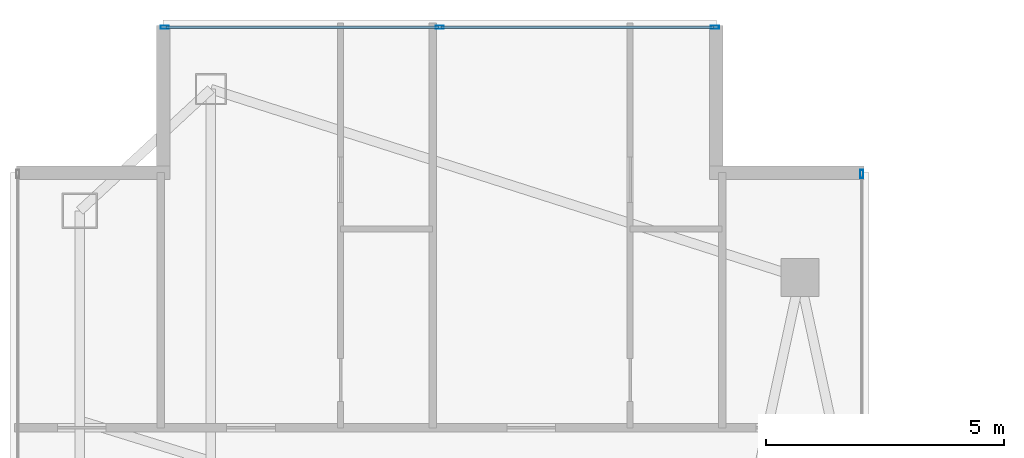
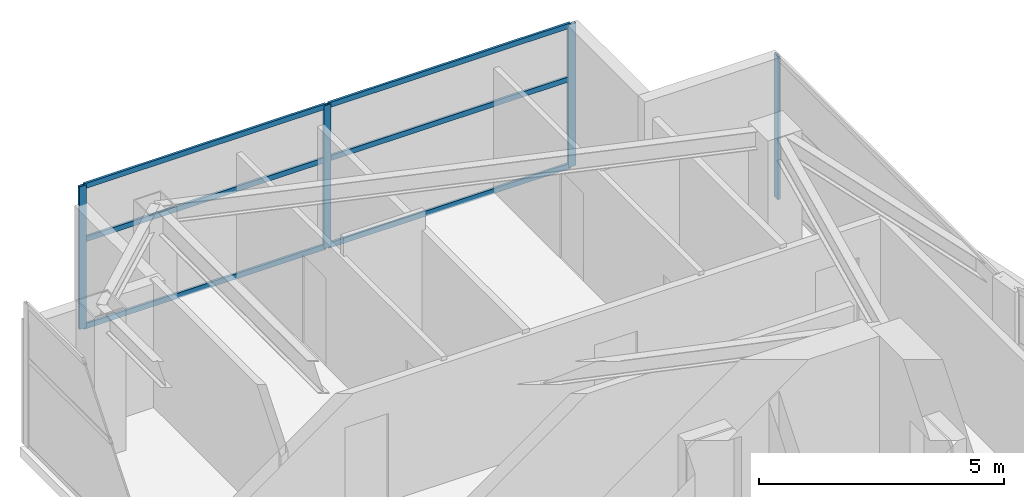
# One storey, part 21 of 29: 10 members, 2 elements without a shape of their own.
"""IFC4 building model written with IfcOpenShell, lengths in metres."""

from ifc_helpers import new_model, si_unit, direction, frame, origin, origin_2d, place, context, subcontext, project, spatial, hollow_rectangle, extrude, material, layer, layer_set, material_profile, profile_set, type_object, element, aggregate, save


model = new_model("IFC4")

# Units and contexts
model_context = context("Model", 3, precision=1e-05, world=origin(), true_north=direction((0.0, 1.0)))
body_context = subcontext(model_context, "Body", "Model", "MODEL_VIEW")
ifc_project = project(units=[si_unit("LENGTHUNIT", "METRE"), si_unit("AREAUNIT", "SQUARE_METRE"), si_unit("VOLUMEUNIT", "CUBIC_METRE"), si_unit("PLANEANGLEUNIT", "RADIAN"), si_unit("MASSUNIT", "GRAM", prefix="KILO")], contexts=[model_context])

# Site, building, storey
site_placement = place(None, origin())
site = spatial("IfcSite", under=ifc_project, at=site_placement, CompositionType="ELEMENT")
building_placement = place(site_placement, origin())
building = spatial("IfcBuilding", under=site, at=building_placement, Name="Calvorn Quay Hotel", CompositionType="ELEMENT")
storey_placement = place(building_placement, frame((0.0, 0.0, 251.39990234375)))
storey = spatial("IfcBuildingStorey", under=building, at=storey_placement, Name="L62", CompositionType="ELEMENT", Elevation=251.39990234375)

# Curtain wall, member
ifc_material_1 = material(Name="Champagne Bronze Anodised Aluminium and Low-E Glass", Category="aluminium")
ifc_layer = layer(ifc_material_1, 0.219970703125)
ifc_layer_set = layer_set([ifc_layer], Name="CW-SYS-Z4")
curtain_wall_type = type_object("IfcCurtainWallType", Name="CW-SYS-Z4", PredefinedType="NOTDEFINED", material=ifc_layer_set)
curtain_wall_1_placement = place(storey_placement, origin())
curtain_wall_1 = element("IfcCurtainWall", 1, at=curtain_wall_1_placement, inside=storey, type_object=curtain_wall_type, Name="Inner Court Curtain Wall L62-IC2", PredefinedType="NOTDEFINED")
ifc_material_2 = material(Name="Champagne Bronze Anodised Aluminium 6063-T6", Category="aluminium")
ifc_material_profile_1 = material_profile(ifc_material_2, hollow_rectangle(XDim=0.06494140625, YDim=0.169921875, WallThickness=0.00341796875, at=origin_2d()), Name="ALU-M170x65x3.5")
ifc_profile_set_1 = profile_set([ifc_material_profile_1], Name="Champagne Bronze Anodised Aluminium 6063-T6")
member_type_1 = type_object("IfcMemberType", Name="CW-SYS-Z4-MUL", PredefinedType="MULLION", material=ifc_profile_set_1)
member_1_placement = place(storey_placement, frame((17.85009765625, 47.77001953125, 0.0), z_axis=(0.0, 0.0, 1.0), x_axis=(-1.0, 0.0, 0.0)))
member_1 = element("IfcMember", 2, at=member_1_placement, type_object=member_type_1, Name="CW-L62-IC2 mullion 2", PredefinedType="MULLION", context=body_context, shape_type="SweptSolid", body=[
    extrude(hollow_rectangle(XDim=0.06494140625, YDim=0.169921875, WallThickness=0.00341796875, at=origin_2d()), origin(), (0.0, 0.0, 1.0), 3.56005859375),
])
aggregate(curtain_wall_1, [member_1])

# Curtain wall, members
curtain_wall_2_placement = place(storey_placement, origin())
curtain_wall_2 = element("IfcCurtainWall", 3, at=curtain_wall_2_placement, inside=storey, type_object=curtain_wall_type, Name="Inner Court Curtain Wall L62-N1", PredefinedType="NOTDEFINED")
member_2_placement = place(storey_placement, frame((14.77001953125, 50.85009765625, 0.0), z_axis=(0.0, 0.0, 1.0), x_axis=(0.0, -1.0, 0.0)))
member_2 = element("IfcMember", 4, at=member_2_placement, type_object=member_type_1, Name="CW-L62-N1 mullion 1", PredefinedType="MULLION", context=body_context, shape_type="SweptSolid", body=[
    extrude(hollow_rectangle(XDim=0.06494140625, YDim=0.169921875, WallThickness=0.00341796875, at=origin_2d()), origin(), (0.0, 0.0, 1.0), 3.56005859375),
])
member_3_placement = place(storey_placement, frame((9.0, 50.85009765625, 0.0), z_axis=(0.0, 0.0, 1.0), x_axis=(0.0, -1.0, 0.0)))
member_3 = element("IfcMember", 5, at=member_3_placement, type_object=member_type_1, Name="CW-L62-N1 mullion 2", PredefinedType="MULLION", context=body_context, shape_type="SweptSolid", body=[
    extrude(hollow_rectangle(XDim=0.06494140625, YDim=0.169921875, WallThickness=0.00341796875, at=origin_2d()), origin(), (0.0, 0.0, 1.0), 3.56005859375),
])
member_4_placement = place(storey_placement, frame((3.22998046875, 50.85009765625, 0.0), z_axis=(0.0, 0.0, 1.0), x_axis=(0.0, -1.0, 0.0)))
member_4 = element("IfcMember", 6, at=member_4_placement, type_object=member_type_1, Name="CW-L62-N1 mullion 3", PredefinedType="MULLION", context=body_context, shape_type="SweptSolid", body=[
    extrude(hollow_rectangle(XDim=0.06494140625, YDim=0.169921875, WallThickness=0.00341796875, at=origin_2d()), origin(), (0.0, 0.0, 1.0), 3.56005859375),
])
ifc_material_3 = material(Name="Champagne Bronze Anodised Aluminium 6063-T6", Category="aluminium")
ifc_material_profile_2 = material_profile(ifc_material_3, hollow_rectangle(XDim=0.054931640625, YDim=0.1298828125, WallThickness=0.003173828125, at=origin_2d()), Name="ALU-T130x55x3.2")
ifc_profile_set_2 = profile_set([ifc_material_profile_2], Name="Champagne Bronze Anodised Aluminium 6063-T6")
member_type_2 = type_object("IfcMemberType", Name="CW-SYS-Z4-TRN", PredefinedType="USERDEFINED", material=ifc_profile_set_2)
member_5_placement = place(storey_placement, frame((14.739990234375, 50.85009765625, 0.030029296875), z_axis=(-1.0, 0.0, 0.0), x_axis=(0.0, -1.0, 0.0)))
member_5 = element("IfcMember", 7, at=member_5_placement, type_object=member_type_2, Name="CW-L62-N1 transom 1.1", ObjectType="TRANSOM", PredefinedType="USERDEFINED", context=body_context, shape_type="SweptSolid", body=[
    extrude(hollow_rectangle(XDim=0.054931640625, YDim=0.1298828125, WallThickness=0.003173828125, at=origin_2d()), origin(), (0.0, 0.0, 1.0), 5.7099609375),
])
member_6_placement = place(storey_placement, frame((14.739990234375, 50.85009765625, 2.2001953125), z_axis=(-1.0, 0.0, 0.0), x_axis=(0.0, -1.0, 0.0)))
member_6 = element("IfcMember", 8, at=member_6_placement, type_object=member_type_2, Name="CW-L62-N1 transom 1.2", ObjectType="TRANSOM", PredefinedType="USERDEFINED", context=body_context, shape_type="SweptSolid", body=[
    extrude(hollow_rectangle(XDim=0.054931640625, YDim=0.1298828125, WallThickness=0.003173828125, at=origin_2d()), origin(), (0.0, 0.0, 1.0), 5.7099609375),
])
member_7_placement = place(storey_placement, frame((14.739990234375, 50.85009765625, 3.530029296875), z_axis=(-1.0, 0.0, 0.0), x_axis=(0.0, -1.0, 0.0)))
member_7 = element("IfcMember", 9, at=member_7_placement, type_object=member_type_2, Name="CW-L62-N1 transom 1.3", ObjectType="TRANSOM", PredefinedType="USERDEFINED", context=body_context, shape_type="SweptSolid", body=[
    extrude(hollow_rectangle(XDim=0.054931640625, YDim=0.1298828125, WallThickness=0.003173828125, at=origin_2d()), origin(), (0.0, 0.0, 1.0), 5.7099609375),
])
member_8_placement = place(storey_placement, frame((8.969970703125, 50.85009765625, 0.030029296875), z_axis=(-1.0, 0.0, 0.0), x_axis=(0.0, -1.0, 0.0)))
member_8 = element("IfcMember", 10, at=member_8_placement, type_object=member_type_2, Name="CW-L62-N1 transom 2.1", ObjectType="TRANSOM", PredefinedType="USERDEFINED", context=body_context, shape_type="SweptSolid", body=[
    extrude(hollow_rectangle(XDim=0.054931640625, YDim=0.1298828125, WallThickness=0.003173828125, at=origin_2d()), origin(), (0.0, 0.0, 1.0), 5.7099609375),
])
member_9_placement = place(storey_placement, frame((8.969970703125, 50.85009765625, 2.2001953125), z_axis=(-1.0, 0.0, 0.0), x_axis=(0.0, -1.0, 0.0)))
member_9 = element("IfcMember", 11, at=member_9_placement, type_object=member_type_2, Name="CW-L62-N1 transom 2.2", ObjectType="TRANSOM", PredefinedType="USERDEFINED", context=body_context, shape_type="SweptSolid", body=[
    extrude(hollow_rectangle(XDim=0.054931640625, YDim=0.1298828125, WallThickness=0.003173828125, at=origin_2d()), origin(), (0.0, 0.0, 1.0), 5.7099609375),
])
member_10_placement = place(storey_placement, frame((8.969970703125, 50.85009765625, 3.530029296875), z_axis=(-1.0, 0.0, 0.0), x_axis=(0.0, -1.0, 0.0)))
member_10 = element("IfcMember", 12, at=member_10_placement, type_object=member_type_2, Name="CW-L62-N1 transom 2.3", ObjectType="TRANSOM", PredefinedType="USERDEFINED", context=body_context, shape_type="SweptSolid", body=[
    extrude(hollow_rectangle(XDim=0.054931640625, YDim=0.1298828125, WallThickness=0.003173828125, at=origin_2d()), origin(), (0.0, 0.0, 1.0), 5.7099609375),
])
aggregate(curtain_wall_2, [member_2, member_3, member_4, member_5, member_6, member_7, member_8, member_9, member_10])

save(model, "model.ifc")
